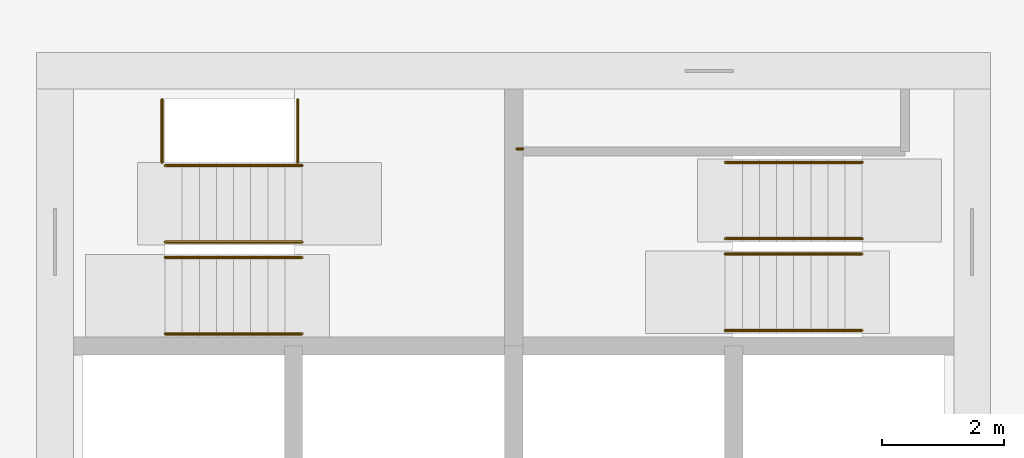
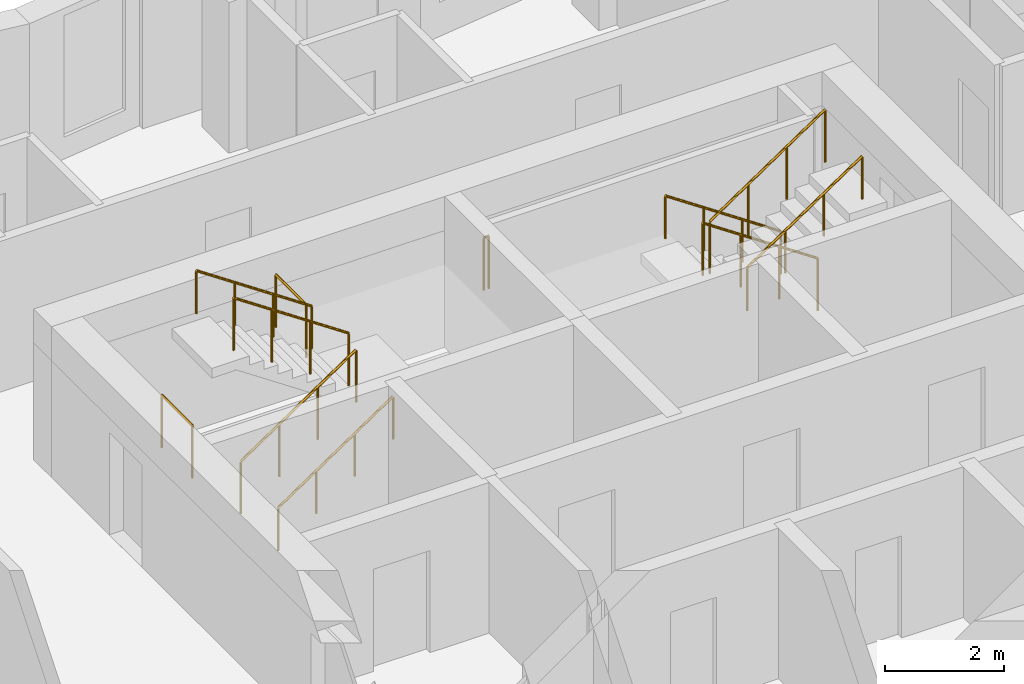
# One storey, part 11 of 12: 11 railings.
"""IFC4 building model written with IfcOpenShell, lengths in metres."""

from ifc_helpers import new_model, si_unit, direction, frame, origin, origin_2d, place, context, subcontext, project, spatial, circle, extrude, material, type_object, element, save


model = new_model("IFC4")

# Units and contexts
model_context = context("Model", 3, precision=1e-05, world=origin(), true_north=direction((0.0, 1.0)))
body_context = subcontext(model_context, "Body", "Model", "MODEL_VIEW")
ifc_project = project(units=[si_unit("LENGTHUNIT", "METRE"), si_unit("AREAUNIT", "SQUARE_METRE"), si_unit("VOLUMEUNIT", "CUBIC_METRE"), si_unit("PLANEANGLEUNIT", "RADIAN"), si_unit("MASSUNIT", "GRAM", prefix="KILO")], contexts=[model_context])

# Site, building, storey
site_placement = place(None, origin())
site = spatial("IfcSite", under=ifc_project, at=site_placement, CompositionType="ELEMENT")
building_placement = place(site_placement, origin())
building = spatial("IfcBuilding", under=site, at=building_placement, Name="Windrow Commons", CompositionType="ELEMENT")
storey_placement = place(building_placement, frame((0.0, 0.0, 159.2)))
storey = spatial("IfcBuildingStorey", under=building, at=storey_placement, Name="L43", CompositionType="ELEMENT", Elevation=159.2)

# Railings
ifc_material_1 = material(Name="Steel S355", Category="steel")
railing_type_1 = type_object("IfcRailingType", Name="Core stair guard 1100", PredefinedType="GUARDRAIL", material=ifc_material_1)
railing_1_placement = place(storey_placement, frame((59.1, 62.05, 0.1889)))
element("IfcRailing", 1, at=railing_1_placement, inside=storey, type_object=railing_type_1, Name="L43 ST-A1 stair guard 1", PredefinedType="GUARDRAIL", context=body_context, shape_type="SweptSolid", body=[
    extrude(circle(Radius=0.024, at=origin_2d()), frame((0.0, 0.0, 1.076), z_axis=(0.8290030985, 0.0, 0.5592440099), x_axis=(0.0, 1.0, 0.0)), (0.0, 0.0, 1.0), 2.702),
    extrude(circle(Radius=0.021, at=origin_2d()), origin(), (0.0, 0.0, 1.0), 1.052),
    extrude(circle(Radius=0.021, at=origin_2d()), frame((0.7467, 0.0, 0.5037)), (0.0, 0.0, 1.0), 1.052),
    extrude(circle(Radius=0.021, at=origin_2d()), frame((1.4933, 0.0, 1.0074)), (0.0, 0.0, 1.0), 1.052),
    extrude(circle(Radius=0.021, at=origin_2d()), frame((2.24, 0.0, 1.5111)), (0.0, 0.0, 1.0), 1.052),
])
railing_2_placement = place(storey_placement, frame((61.34, 62.3, 1.8889)))
element("IfcRailing", 2, at=railing_2_placement, inside=storey, type_object=railing_type_1, Name="L43 ST-A1 stair guard 2", PredefinedType="GUARDRAIL", context=body_context, shape_type="SweptSolid", body=[
    extrude(circle(Radius=0.024, at=origin_2d()), frame((0.0, 0.0, 1.076), z_axis=(-0.8290030985, 0.0, 0.5592440099), x_axis=(0.0, -1.0, 0.0)), (0.0, 0.0, 1.0), 2.702),
    extrude(circle(Radius=0.021, at=origin_2d()), origin(), (0.0, 0.0, 1.0), 1.052),
    extrude(circle(Radius=0.021, at=origin_2d()), frame((-0.7467, 0.0, 0.5037)), (0.0, 0.0, 1.0), 1.052),
    extrude(circle(Radius=0.021, at=origin_2d()), frame((-1.4933, 0.0, 1.0074)), (0.0, 0.0, 1.0), 1.052),
    extrude(circle(Radius=0.021, at=origin_2d()), frame((-2.24, 0.0, 1.5111)), (0.0, 0.0, 1.0), 1.052),
])
for number, where, name in (
    (3, (59.05, 63.6, 0.0), "L43 ST-A1 stair guard 3"),
    (4, (61.27, 63.6, 1.7), "L43 ST-A1 stair guard 4"),
):
    element("IfcRailing", number, at=place(storey_placement, frame(where)), inside=storey, type_object=railing_type_1, Name=name, PredefinedType="GUARDRAIL", context=body_context, shape_type="SweptSolid", body=[
        extrude(circle(Radius=0.024, at=origin_2d()), frame((0.0, 0.0, 1.076), z_axis=(0.0, 1.0, 0.0), x_axis=(-1.0, 0.0, 0.0)), (0.0, 0.0, 1.0), 1.03),
        extrude(circle(Radius=0.021, at=origin_2d()), origin(), (0.0, 0.0, 1.0), 1.052),
        extrude(circle(Radius=0.021, at=origin_2d()), frame((0.0, 1.03, 0.0)), (0.0, 0.0, 1.0), 1.052),
    ])
railing_3_placement = place(storey_placement, frame((70.5, 62.355, 0.1889)))
element("IfcRailing", 5, at=railing_3_placement, inside=storey, type_object=railing_type_1, Name="L43 ST-A2 stair guard 1", PredefinedType="GUARDRAIL", context=body_context, shape_type="SweptSolid", body=[
    extrude(circle(Radius=0.024, at=origin_2d()), frame((0.0, 0.0, 1.076), z_axis=(-0.8290030985, 0.0, 0.5592440099), x_axis=(0.0, -1.0, 0.0)), (0.0, 0.0, 1.0), 2.702),
    extrude(circle(Radius=0.021, at=origin_2d()), origin(), (0.0, 0.0, 1.0), 1.052),
    extrude(circle(Radius=0.021, at=origin_2d()), frame((-0.7467, 0.0, 0.5037)), (0.0, 0.0, 1.0), 1.052),
    extrude(circle(Radius=0.021, at=origin_2d()), frame((-1.4933, 0.0, 1.0074)), (0.0, 0.0, 1.0), 1.052),
    extrude(circle(Radius=0.021, at=origin_2d()), frame((-2.24, 0.0, 1.5111)), (0.0, 0.0, 1.0), 1.052),
])
railing_4_placement = place(storey_placement, frame((68.26, 62.105, 1.8889)))
element("IfcRailing", 6, at=railing_4_placement, inside=storey, type_object=railing_type_1, Name="L43 ST-A2 stair guard 2", PredefinedType="GUARDRAIL", context=body_context, shape_type="SweptSolid", body=[
    extrude(circle(Radius=0.024, at=origin_2d()), frame((0.0, 0.0, 1.076), z_axis=(0.8290030985, 0.0, 0.5592440099), x_axis=(0.0, 1.0, 0.0)), (0.0, 0.0, 1.0), 2.702),
    extrude(circle(Radius=0.021, at=origin_2d()), origin(), (0.0, 0.0, 1.0), 1.052),
    extrude(circle(Radius=0.021, at=origin_2d()), frame((0.7467, 0.0, 0.5037)), (0.0, 0.0, 1.0), 1.052),
    extrude(circle(Radius=0.021, at=origin_2d()), frame((1.4933, 0.0, 1.0074)), (0.0, 0.0, 1.0), 1.052),
    extrude(circle(Radius=0.021, at=origin_2d()), frame((2.24, 0.0, 1.5111)), (0.0, 0.0, 1.0), 1.052),
])
railing_5_placement = place(storey_placement, frame((64.95, 63.825, 1.7)))
element("IfcRailing", 7, at=railing_5_placement, inside=storey, type_object=railing_type_1, Name="L43 ST-A2 stair guard 3", PredefinedType="GUARDRAIL", context=body_context, shape_type="SweptSolid", body=[
    extrude(circle(Radius=0.024, at=origin_2d()), frame((0.0, 0.0, 1.076), z_axis=(-1.0, 0.0, 0.0), x_axis=(0.0, -1.0, 0.0)), (0.0, 0.0, 1.0), 0.1),
    extrude(circle(Radius=0.021, at=origin_2d()), origin(), (0.0, 0.0, 1.0), 1.052),
    extrude(circle(Radius=0.021, at=origin_2d()), frame((-0.1, 0.0, 0.0)), (0.0, 0.0, 1.0), 1.052),
])
ifc_material_2 = material(Name="Steel S355", Category="steel")
railing_type_2 = type_object("IfcRailingType", Name="Core stair handrail 900", PredefinedType="HANDRAIL", material=ifc_material_2)
railing_6_placement = place(storey_placement, frame((59.1, 60.8, 0.1889)))
element("IfcRailing", 8, at=railing_6_placement, inside=storey, type_object=railing_type_2, Name="L43 ST-A1 stair handrail 1", PredefinedType="HANDRAIL", context=body_context, shape_type="SweptSolid", body=[
    extrude(circle(Radius=0.024, at=origin_2d()), frame((0.0, 0.0, 0.876), z_axis=(0.8290030985, 0.0, 0.5592440099), x_axis=(0.0, 1.0, 0.0)), (0.0, 0.0, 1.0), 2.702),
    extrude(circle(Radius=0.021, at=origin_2d()), origin(), (0.0, 0.0, 1.0), 0.852),
    extrude(circle(Radius=0.021, at=origin_2d()), frame((0.7467, 0.0, 0.5037)), (0.0, 0.0, 1.0), 0.852),
    extrude(circle(Radius=0.021, at=origin_2d()), frame((1.4933, 0.0, 1.0074)), (0.0, 0.0, 1.0), 0.852),
    extrude(circle(Radius=0.021, at=origin_2d()), frame((2.24, 0.0, 1.5111)), (0.0, 0.0, 1.0), 0.852),
])
for number, where, name in (
    (9, (61.34, 63.55, 1.8889), "L43 ST-A1 stair handrail 2"),
    (10, (70.5, 63.605, 0.1889), "L43 ST-A2 stair handrail 1"),
):
    element("IfcRailing", number, at=place(storey_placement, frame(where)), inside=storey, type_object=railing_type_2, Name=name, PredefinedType="HANDRAIL", context=body_context, shape_type="SweptSolid", body=[
        extrude(circle(Radius=0.024, at=origin_2d()), frame((0.0, 0.0, 0.876), z_axis=(-0.8290030985, 0.0, 0.5592440099), x_axis=(0.0, -1.0, 0.0)), (0.0, 0.0, 1.0), 2.702),
        extrude(circle(Radius=0.021, at=origin_2d()), origin(), (0.0, 0.0, 1.0), 0.852),
        extrude(circle(Radius=0.021, at=origin_2d()), frame((-0.7467, 0.0, 0.5037)), (0.0, 0.0, 1.0), 0.852),
        extrude(circle(Radius=0.021, at=origin_2d()), frame((-1.4933, 0.0, 1.0074)), (0.0, 0.0, 1.0), 0.852),
        extrude(circle(Radius=0.021, at=origin_2d()), frame((-2.24, 0.0, 1.5111)), (0.0, 0.0, 1.0), 0.852),
    ])
railing_7_placement = place(storey_placement, frame((68.26, 60.855, 1.8889)))
element("IfcRailing", 11, at=railing_7_placement, inside=storey, type_object=railing_type_2, Name="L43 ST-A2 stair handrail 2", PredefinedType="HANDRAIL", context=body_context, shape_type="SweptSolid", body=[
    extrude(circle(Radius=0.024, at=origin_2d()), frame((0.0, 0.0, 0.876), z_axis=(0.8290030985, 0.0, 0.5592440099), x_axis=(0.0, 1.0, 0.0)), (0.0, 0.0, 1.0), 2.702),
    extrude(circle(Radius=0.021, at=origin_2d()), origin(), (0.0, 0.0, 1.0), 0.852),
    extrude(circle(Radius=0.021, at=origin_2d()), frame((0.7467, 0.0, 0.5037)), (0.0, 0.0, 1.0), 0.852),
    extrude(circle(Radius=0.021, at=origin_2d()), frame((1.4933, 0.0, 1.0074)), (0.0, 0.0, 1.0), 0.852),
    extrude(circle(Radius=0.021, at=origin_2d()), frame((2.24, 0.0, 1.5111)), (0.0, 0.0, 1.0), 0.852),
])

save(model, "model.ifc")
